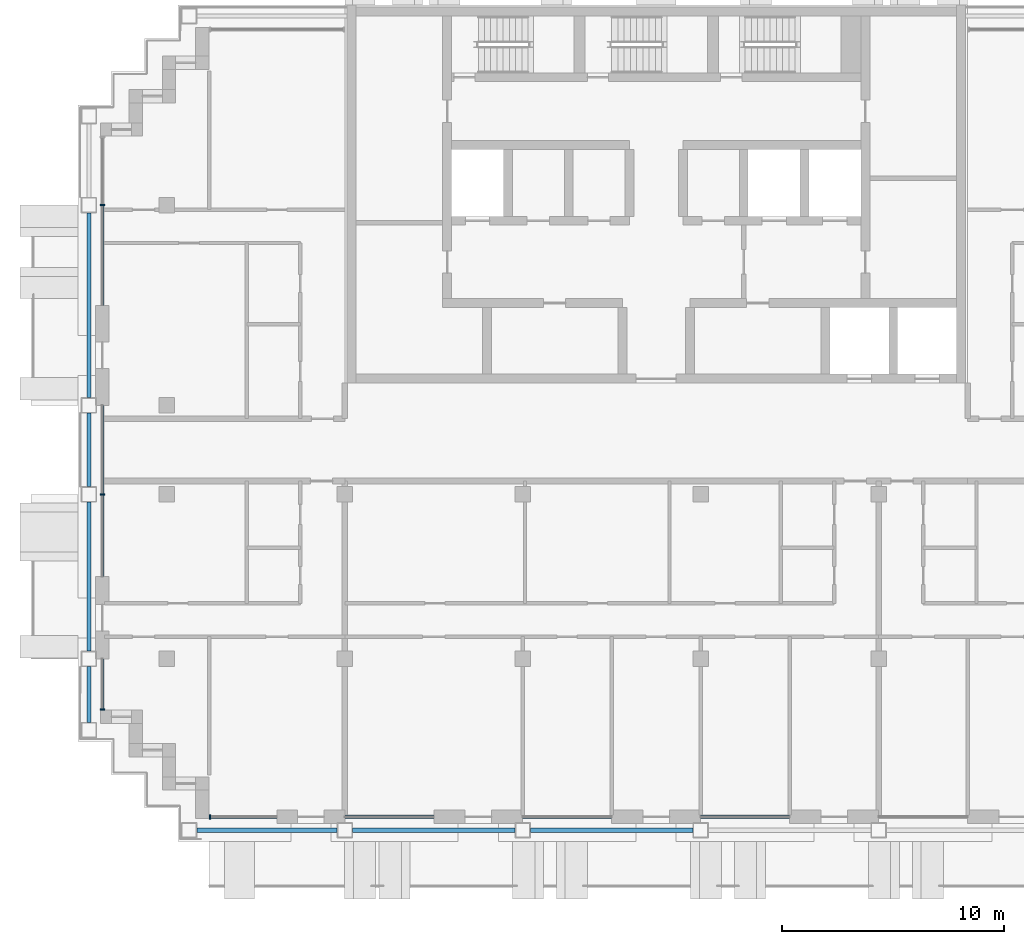
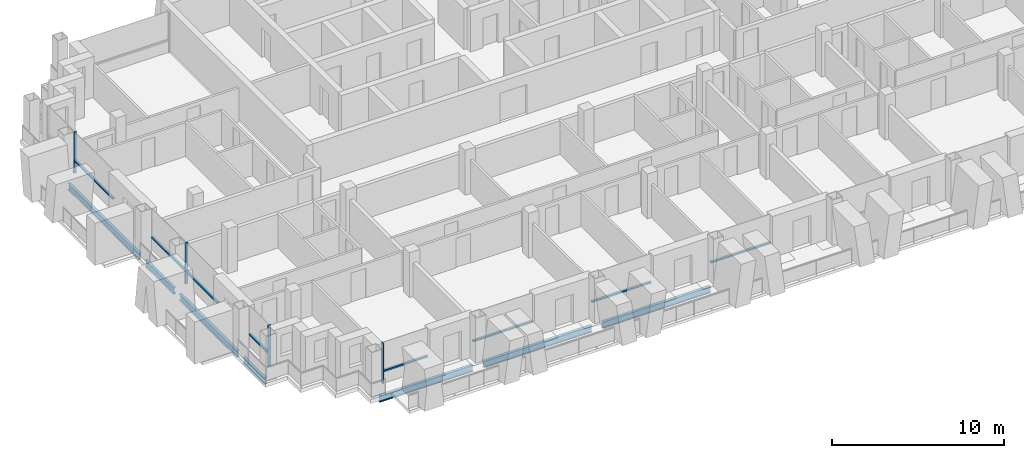
# One storey, part 2 of 16: 12 members, 7 beams, 7 elements without a shape of their own.
"""IFC4 building model written with IfcOpenShell, lengths in metres."""

from ifc_helpers import new_model, si_unit, direction, frame, origin, origin_2d, place, context, subcontext, project, spatial, rectangle, i_section, extrude, material, material_profile, profile_set, type_object, element, aggregate, save


model = new_model("IFC4")

# Units and contexts
model_context = context("Model", 3, precision=1e-05, world=origin(), true_north=direction((0.0, 1.0)))
body_context = subcontext(model_context, "Body", "Model", "MODEL_VIEW")
ifc_project = project(units=[si_unit("LENGTHUNIT", "METRE"), si_unit("AREAUNIT", "SQUARE_METRE"), si_unit("VOLUMEUNIT", "CUBIC_METRE"), si_unit("PLANEANGLEUNIT", "RADIAN"), si_unit("MASSUNIT", "GRAM", prefix="KILO")], contexts=[model_context])

# Site, building, storey
site_placement = place(None, origin())
site = spatial("IfcSite", under=ifc_project, at=site_placement, CompositionType="ELEMENT")
building_placement = place(site_placement, origin())
building = spatial("IfcBuilding", under=site, at=building_placement, Name="Vidyagriha Tower", CompositionType="ELEMENT")
storey_placement = place(building_placement, frame((0.0, 0.0, 187.699951171875)))
storey = spatial("IfcBuildingStorey", under=building, at=storey_placement, Name="L49", CompositionType="ELEMENT", Elevation=187.699951171875)

# Beams
ifc_material_1 = material(Name="Steel ASTM A992 Grade 50", Category="steel")
ifc_material_profile_1 = material_profile(ifc_material_1, i_section(OverallWidth=0.19189453125, OverallDepth=0.46240234375, WebThickness=0.010498046875, FlangeThickness=0.017578125, at=origin_2d()), Name="W18X60")
ifc_profile_set_1 = profile_set([ifc_material_profile_1], Name="Steel ASTM A992 Grade 50")
beam_type = type_object("IfcBeamType", Name="Edge beam W18X60", PredefinedType="SPANDREL", material=ifc_profile_set_1)
beam_1_placement = place(storey_placement, frame((-20.64990234375, -17.10009765625, -0.510986328125), z_axis=(1.0, 0.0, 0.0), x_axis=(0.0, 1.0, 0.0)))
element("IfcBeam", 1, at=beam_1_placement, inside=storey, type_object=beam_type, Name="st-beam-L49-S01", PredefinedType="SPANDREL", context=body_context, shape_type="SweptSolid", body=[
    extrude(i_section(OverallWidth=0.19189453125, OverallDepth=0.46240234375, WebThickness=0.010498046875, FlangeThickness=0.017578125, at=origin_2d()), origin(), (0.0, 0.0, 1.0), 6.2998046875),
])
for number, where, z_axis, x_axis, name in (
    (2, (-13.64990234375, -17.10009765625, -0.510986328125), (1.0, 0.0, 0.0), (0.0, 1.0, 0.0), "st-beam-L49-S02"),
    (3, (-5.64990234375, -17.10009765625, -0.510986328125), (1.0, 0.0, 0.0), (0.0, 1.0, 0.0), "st-beam-L49-S03"),
):
    element("IfcBeam", number, at=place(storey_placement, frame(where, z_axis=z_axis, x_axis=x_axis)), inside=storey, type_object=beam_type, Name=name, PredefinedType="SPANDREL", context=body_context, shape_type="SweptSolid", body=[
        extrude(i_section(OverallWidth=0.19189453125, OverallDepth=0.46240234375, WebThickness=0.010498046875, FlangeThickness=0.017578125, at=origin_2d()), origin(), (0.0, 0.0, 1.0), 7.2998046875),
    ])
beam_2_placement = place(storey_placement, frame((-25.5, -12.25, -0.510986328125), z_axis=(0.0, 1.0, 0.0), x_axis=(-1.0, 0.0, 0.0)))
element("IfcBeam", 4, at=beam_2_placement, inside=storey, type_object=beam_type, Name="st-beam-L49-W08", PredefinedType="SPANDREL", context=body_context, shape_type="SweptSolid", body=[
    extrude(i_section(OverallWidth=0.19189453125, OverallDepth=0.46240234375, WebThickness=0.010498046875, FlangeThickness=0.017578125, at=origin_2d()), origin(), (0.0, 0.0, 1.0), 2.5),
])
beam_3_placement = place(storey_placement, frame((-25.5, -9.050048828125, -0.510986328125), z_axis=(0.0, 1.0, 0.0), x_axis=(-1.0, 0.0, 0.0)))
element("IfcBeam", 5, at=beam_3_placement, inside=storey, type_object=beam_type, Name="st-beam-L49-W09", PredefinedType="SPANDREL", context=body_context, shape_type="SweptSolid", body=[
    extrude(i_section(OverallWidth=0.19189453125, OverallDepth=0.46240234375, WebThickness=0.010498046875, FlangeThickness=0.017578125, at=origin_2d()), origin(), (0.0, 0.0, 1.0), 6.699951171875),
])
beam_4_placement = place(storey_placement, frame((-25.5, -1.64990234375, -0.510986328125), z_axis=(0.0, 1.0, 0.0), x_axis=(-1.0, 0.0, 0.0)))
element("IfcBeam", 6, at=beam_4_placement, inside=storey, type_object=beam_type, Name="st-beam-L49-W10", PredefinedType="SPANDREL", context=body_context, shape_type="SweptSolid", body=[
    extrude(i_section(OverallWidth=0.19189453125, OverallDepth=0.46240234375, WebThickness=0.010498046875, FlangeThickness=0.017578125, at=origin_2d()), origin(), (0.0, 0.0, 1.0), 3.2998046875),
])
beam_5_placement = place(storey_placement, frame((-25.5, 2.35009765625, -0.510986328125), z_axis=(0.0, 1.0, 0.0), x_axis=(-1.0, 0.0, 0.0)))
element("IfcBeam", 7, at=beam_5_placement, inside=storey, type_object=beam_type, Name="st-beam-L49-W11", PredefinedType="SPANDREL", context=body_context, shape_type="SweptSolid", body=[
    extrude(i_section(OverallWidth=0.19189453125, OverallDepth=0.46240234375, WebThickness=0.010498046875, FlangeThickness=0.017578125, at=origin_2d()), origin(), (0.0, 0.0, 1.0), 8.2998046875),
])

# Curtain wall, member
ifc_material_2 = material(Name="Aluminium and glass curtain wall", Category="aluminium")
curtain_wall_type = type_object("IfcCurtainWallType", Name="Dwelling skin unitised curtain wall", PredefinedType="USERDEFINED", material=ifc_material_2)
curtain_wall_1_placement = place(storey_placement, origin())
curtain_wall_1 = element("IfcCurtainWall", 8, at=curtain_wall_1_placement, inside=storey, type_object=curtain_wall_type, Name="CW1 dwelling skin", ObjectType="UNITISED", PredefinedType="USERDEFINED")
ifc_material_3 = material(Name="Aluminium black anodised", Category="aluminium")
ifc_material_profile_2 = material_profile(ifc_material_3, rectangle(XDim=0.199951171875, YDim=0.070068359375, at=origin_2d()), Name="Mullion 70x200 black aluminium")
ifc_profile_set_2 = profile_set([ifc_material_profile_2], Name="Aluminium black anodised")
member_type_1 = type_object("IfcMemberType", Name="Mullion 70x200 black aluminium", PredefinedType="MULLION", material=ifc_profile_set_2)
member_1_placement = place(storey_placement, frame((-24.89990234375, 11.0, 0.0)))
member_1 = element("IfcMember", 9, at=member_1_placement, type_object=member_type_1, Name="CW1 mullion 2", PredefinedType="MULLION", context=body_context, shape_type="SweptSolid", body=[
    extrude(rectangle(XDim=0.199951171875, YDim=0.070068359375, at=origin_2d()), origin(), (0.0, 0.0, 1.0), 2.920166015625),
])

curtain_wall_2_placement = place(storey_placement, origin())
curtain_wall_2 = element("IfcCurtainWall", 10, at=curtain_wall_2_placement, inside=storey, type_object=curtain_wall_type, Name="CW1 dwelling skin", ObjectType="UNITISED", PredefinedType="USERDEFINED")
member_2_placement = place(storey_placement, frame((-24.89990234375, -2.0, 0.0)))
member_2 = element("IfcMember", 11, at=member_2_placement, type_object=member_type_1, Name="CW1 mullion 2", PredefinedType="MULLION", context=body_context, shape_type="SweptSolid", body=[
    extrude(rectangle(XDim=0.199951171875, YDim=0.070068359375, at=origin_2d()), origin(), (0.0, 0.0, 1.0), 2.920166015625),
])

curtain_wall_3_placement = place(storey_placement, origin())
curtain_wall_3 = element("IfcCurtainWall", 12, at=curtain_wall_3_placement, inside=storey, type_object=curtain_wall_type, Name="CW1 dwelling skin", ObjectType="UNITISED", PredefinedType="USERDEFINED")
member_3_placement = place(storey_placement, frame((-24.89990234375, -11.6650390625, 0.0)))
member_3 = element("IfcMember", 13, at=member_3_placement, type_object=member_type_1, Name="CW1 mullion 2", PredefinedType="MULLION", context=body_context, shape_type="SweptSolid", body=[
    extrude(rectangle(XDim=0.199951171875, YDim=0.070068359375, at=origin_2d()), origin(), (0.0, 0.0, 1.0), 2.920166015625),
])

curtain_wall_4_placement = place(storey_placement, origin())
curtain_wall_4 = element("IfcCurtainWall", 14, at=curtain_wall_4_placement, inside=storey, type_object=curtain_wall_type, Name="CW1 dwelling skin", ObjectType="UNITISED", PredefinedType="USERDEFINED")
member_4_placement = place(storey_placement, frame((-20.06494140625, -16.5, 0.0), z_axis=(0.0, 0.0, 1.0), x_axis=(0.0, 1.0, 0.0)))
member_4 = element("IfcMember", 15, at=member_4_placement, type_object=member_type_1, Name="CW1 mullion 1", PredefinedType="MULLION", context=body_context, shape_type="SweptSolid", body=[
    extrude(rectangle(XDim=0.199951171875, YDim=0.070068359375, at=origin_2d()), origin(), (0.0, 0.0, 1.0), 2.920166015625),
])

# Member
ifc_material_4 = material(Name="Aluminium black anodised", Category="aluminium")
ifc_material_profile_3 = material_profile(ifc_material_4, rectangle(XDim=0.159912109375, YDim=0.10009765625, at=origin_2d()), Name="Transom 100x160 black aluminium")
ifc_profile_set_3 = profile_set([ifc_material_profile_3], Name="Aluminium black anodised")
member_type_2 = type_object("IfcMemberType", Name="Transom 100x160 black aluminium", PredefinedType="USERDEFINED", material=ifc_profile_set_3)
member_5_placement = place(storey_placement, frame((-24.89990234375, 10.965087890625, 0.900146484375), z_axis=(0.0, -1.0, 0.0), x_axis=(1.0, 0.0, 0.0)))
member_5 = element("IfcMember", 16, at=member_5_placement, type_object=member_type_2, Name="CW1 transom 2.1", ObjectType="TRANSOM", PredefinedType="USERDEFINED", context=body_context, shape_type="SweptSolid", body=[
    extrude(rectangle(XDim=0.159912109375, YDim=0.10009765625, at=origin_2d()), origin(), (0.0, 0.0, 1.0), 4.465087890625),
])

aggregate(curtain_wall_1, [member_1, member_5])

member_6_placement = place(storey_placement, frame((-24.89990234375, 2.0, 0.900146484375), z_axis=(0.0, -1.0, 0.0), x_axis=(1.0, 0.0, 0.0)))
member_6 = element("IfcMember", 17, at=member_6_placement, type_object=member_type_2, Name="CW1 transom 1.1", ObjectType="TRANSOM", PredefinedType="USERDEFINED", context=body_context, shape_type="SweptSolid", body=[
    extrude(rectangle(XDim=0.159912109375, YDim=0.10009765625, at=origin_2d()), origin(), (0.0, 0.0, 1.0), 3.965087890625),
])

member_7_placement = place(storey_placement, frame((-24.89990234375, -2.034912109375, 0.900146484375), z_axis=(0.0, -1.0, 0.0), x_axis=(1.0, 0.0, 0.0)))
member_7 = element("IfcMember", 18, at=member_7_placement, type_object=member_type_2, Name="CW1 transom 2.1", ObjectType="TRANSOM", PredefinedType="USERDEFINED", context=body_context, shape_type="SweptSolid", body=[
    extrude(rectangle(XDim=0.159912109375, YDim=0.10009765625, at=origin_2d()), origin(), (0.0, 0.0, 1.0), 3.6650390625),
])

aggregate(curtain_wall_2, [member_2, member_6, member_7])

member_8_placement = place(storey_placement, frame((-24.89990234375, -9.39990234375, 0.900146484375), z_axis=(0.0, -1.0, 0.0), x_axis=(1.0, 0.0, 0.0)))
member_8 = element("IfcMember", 19, at=member_8_placement, type_object=member_type_2, Name="CW1 transom 1.1", ObjectType="TRANSOM", PredefinedType="USERDEFINED", context=body_context, shape_type="SweptSolid", body=[
    extrude(rectangle(XDim=0.159912109375, YDim=0.10009765625, at=origin_2d()), origin(), (0.0, 0.0, 1.0), 2.22998046875),
])

aggregate(curtain_wall_3, [member_3, member_8])

member_9_placement = place(storey_placement, frame((-20.030029296875, -16.5, 0.900146484375), z_axis=(1.0, 0.0, 0.0), x_axis=(0.0, 1.0, 0.0)))
member_9 = element("IfcMember", 20, at=member_9_placement, type_object=member_type_2, Name="CW1 transom 1.1", ObjectType="TRANSOM", PredefinedType="USERDEFINED", context=body_context, shape_type="SweptSolid", body=[
    extrude(rectangle(XDim=0.159912109375, YDim=0.10009765625, at=origin_2d()), origin(), (0.0, 0.0, 1.0), 2.97998046875),
])

aggregate(curtain_wall_4, [member_4, member_9])

# Curtain wall, member
curtain_wall_5_placement = place(storey_placement, origin())
curtain_wall_5 = element("IfcCurtainWall", 21, at=curtain_wall_5_placement, inside=storey, type_object=curtain_wall_type, Name="CW1 dwelling skin", ObjectType="UNITISED", PredefinedType="USERDEFINED")
member_10_placement = place(storey_placement, frame((-14.0, -16.5, 0.900146484375), z_axis=(1.0, 0.0, 0.0), x_axis=(0.0, 1.0, 0.0)))
member_10 = element("IfcMember", 22, at=member_10_placement, type_object=member_type_2, Name="CW1 transom 1.1", ObjectType="TRANSOM", PredefinedType="USERDEFINED", context=body_context, shape_type="SweptSolid", body=[
    extrude(rectangle(XDim=0.159912109375, YDim=0.10009765625, at=origin_2d()), origin(), (0.0, 0.0, 1.0), 4.0),
])
aggregate(curtain_wall_5, [member_10])

curtain_wall_6_placement = place(storey_placement, origin())
curtain_wall_6 = element("IfcCurtainWall", 23, at=curtain_wall_6_placement, inside=storey, type_object=curtain_wall_type, Name="CW1 dwelling skin", ObjectType="UNITISED", PredefinedType="USERDEFINED")
member_11_placement = place(storey_placement, frame((-6.0, -16.5, 0.900146484375), z_axis=(1.0, 0.0, 0.0), x_axis=(0.0, 1.0, 0.0)))
member_11 = element("IfcMember", 24, at=member_11_placement, type_object=member_type_2, Name="CW1 transom 1.1", ObjectType="TRANSOM", PredefinedType="USERDEFINED", context=body_context, shape_type="SweptSolid", body=[
    extrude(rectangle(XDim=0.159912109375, YDim=0.10009765625, at=origin_2d()), origin(), (0.0, 0.0, 1.0), 4.0),
])
aggregate(curtain_wall_6, [member_11])

curtain_wall_7_placement = place(storey_placement, origin())
curtain_wall_7 = element("IfcCurtainWall", 25, at=curtain_wall_7_placement, inside=storey, type_object=curtain_wall_type, Name="CW1 dwelling skin", ObjectType="UNITISED", PredefinedType="USERDEFINED")
member_12_placement = place(storey_placement, frame((2.0, -16.5, 0.900146484375), z_axis=(1.0, 0.0, 0.0), x_axis=(0.0, 1.0, 0.0)))
member_12 = element("IfcMember", 26, at=member_12_placement, type_object=member_type_2, Name="CW1 transom 1.1", ObjectType="TRANSOM", PredefinedType="USERDEFINED", context=body_context, shape_type="SweptSolid", body=[
    extrude(rectangle(XDim=0.159912109375, YDim=0.10009765625, at=origin_2d()), origin(), (0.0, 0.0, 1.0), 4.0),
])
aggregate(curtain_wall_7, [member_12])

save(model, "model.ifc")
